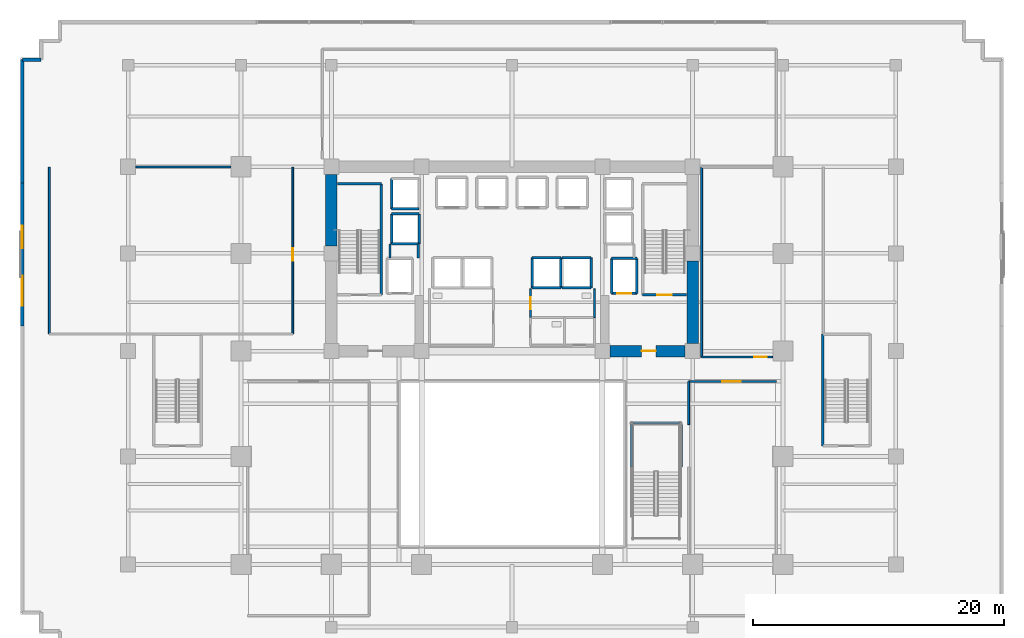
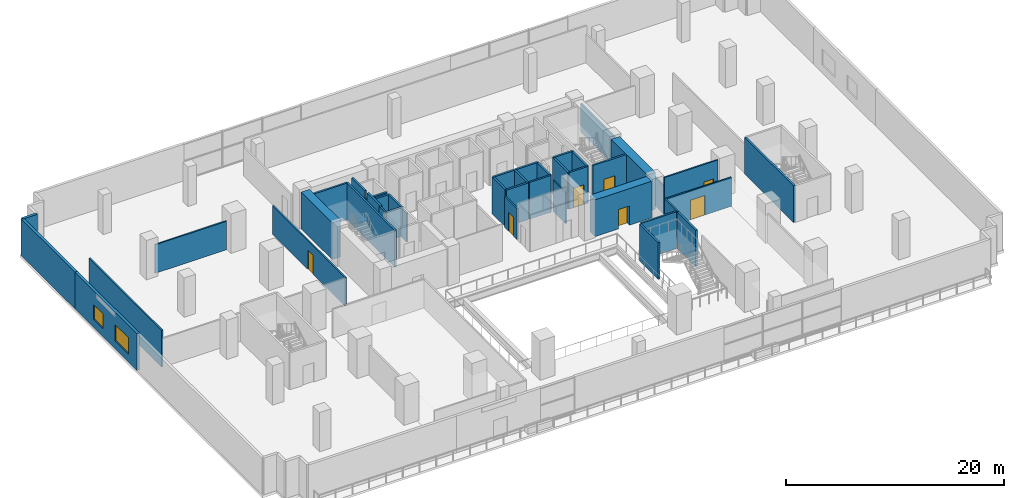
# One storey, part 13 of 21: 41 walls, 7 doors, 2 windows, 9 openings.
"""IFC4 building model written with IfcOpenShell, lengths in metres."""

from ifc_helpers import new_model, si_unit, direction, frame, frame_2d, origin, place, context, subcontext, project, spatial, rectangle, extrude, source, transform, mapped, material, layer, layer_set, type_object, element, fill, save


model = new_model("IFC4")

# Units and contexts
model_context = context("Model", 3, precision=1e-05, world=origin(), true_north=direction((0.0, 1.0)))
body_context = subcontext(model_context, "Body", "Model", "MODEL_VIEW")
ifc_project = project(units=[si_unit("LENGTHUNIT", "METRE"), si_unit("AREAUNIT", "SQUARE_METRE"), si_unit("VOLUMEUNIT", "CUBIC_METRE"), si_unit("PLANEANGLEUNIT", "RADIAN"), si_unit("MASSUNIT", "GRAM", prefix="KILO")], contexts=[model_context])

# Site, building, storey
site_placement = place(None, origin())
site = spatial("IfcSite", under=ifc_project, at=site_placement, CompositionType="ELEMENT")
building_placement = place(site_placement, origin())
building = spatial("IfcBuilding", under=site, at=building_placement, Name="Zarnakvel Exchange Tower", CompositionType="ELEMENT")
storey_placement = place(building_placement, frame((0.0, 0.0, 5.0)))
storey = spatial("IfcBuildingStorey", under=building, at=storey_placement, Name="L01", CompositionType="ELEMENT", Elevation=5.0)

# Walls
ifc_material_1 = material(Name="Concrete C80/95", Category="concrete")
ifc_layer_1 = layer(ifc_material_1, 0.89990234375)
ifc_layer_set_1 = layer_set([ifc_layer_1], Name="Concrete C80/95")
wall_type_1 = type_object("IfcWallType", Name="CW-C1", PredefinedType="SHEAR", material=ifc_layer_set_1)
wall_1_placement = place(storey_placement, frame((-14.39990234375, 7.199951171875, 0.0), z_axis=(0.0, 0.0, 1.0), x_axis=(0.0, 1.0, 0.0)))
element("IfcWall", 1, at=wall_1_placement, inside=storey, type_object=wall_type_1, Name="L01 Rear Core Shear Wall W2 (CW-C1)", PredefinedType="SHEAR", context=body_context, shape_type="SweptSolid", body=[
    extrude(rectangle(XDim=5.699951171875, YDim=0.89990234375, at=frame_2d((2.85009765625, 0.0))), origin(), (0.0, 0.0, 1.0), 4.10009765625),
])
wall_2_placement = place(storey_placement, frame((14.39990234375, -0.60009765625, 0.0), z_axis=(0.0, 0.0, 1.0), x_axis=(0.0, 1.0, 0.0)))
element("IfcWall", 2, at=wall_2_placement, inside=storey, type_object=wall_type_1, Name="L01 Rear Core Shear Wall E1 (CW-C1)", PredefinedType="SHEAR", context=body_context, shape_type="SweptSolid", body=[
    extrude(rectangle(XDim=6.60009765625, YDim=0.89990234375, at=frame_2d((3.300048828125, 0.0))), origin(), (0.0, 0.0, 1.0), 4.10009765625),
])

# Wall, opening, door
wall_3_placement = place(storey_placement, frame((13.800048828125, -1.199951171875, 0.0), z_axis=(0.0, 0.0, 1.0), x_axis=(-1.0, 0.0, 0.0)))
wall_3 = element("IfcWall", 3, at=wall_3_placement, inside=storey, type_object=wall_type_1, Name="L01 Rear Core Shear Wall SE (CW-C1)", PredefinedType="SHEAR", context=body_context, shape_type="SweptSolid", body=[
    extrude(rectangle(XDim=6.0, YDim=0.89990234375, at=frame_2d((3.0, 0.0))), origin(), (0.0, 0.0, 1.0), 4.10009765625),
])
opening_1_placement = place(wall_3_placement, frame((2.324951171875, 0.0, 0.0)))
opening_1 = element("IfcOpeningElement", 4, at=opening_1_placement, cuts=wall_3, Name="Opening D-L01-04", PredefinedType="OPENING", context=body_context, shape_type="SweptSolid", body=[
    extrude(rectangle(XDim=1.14990234375, YDim=2.14990234375, at=frame_2d((0.574951171875, 1.074951171875))), frame((0.0, 0.4599609375, 0.0), z_axis=(0.0, -1.0, 0.0), x_axis=(1.0, 0.0, 0.0)), (0.0, 0.0, 1.0), 0.919921875),
])
ifc_material_2 = material(Name="Painted Galvanised Steel S355", Category="steel")
door_type_1 = type_object("IfcDoorType", Name="DT-04", OperationType="NOTDEFINED", PredefinedType="DOOR", material=ifc_material_2)
shared_shape_1 = source(origin(), body_context, "Body", "SweptSolid", [
    extrude(rectangle(XDim=1.14990234375, YDim=2.14990234375, at=frame_2d((0.574951171875, 1.074951171875))), frame((0.0, 0.02490234375, 0.0), z_axis=(0.0, -1.0, 0.0), x_axis=(1.0, 0.0, 0.0)), (0.0, 0.0, 1.0), 0.050048828125),
])
door_1_placement = place(opening_1_placement, origin())
door_1 = element("IfcDoor", 5, at=door_1_placement, inside=storey, type_object=door_type_1, Name="L01 Firefighting Lobby East Door D-L01-04", OperationType="SINGLE_SWING_LEFT", OverallHeight=2.14990234375, OverallWidth=1.14990234375, PredefinedType="DOOR", context=body_context, shape_type="MappedRepresentation", body=[
    mapped(shared_shape_1, transform((0.0, 0.0, 0.0), x_axis=(1.0, 0.0, 0.0), y_axis=(0.0, 1.0, 0.0), z_axis=(0.0, 0.0, 1.0), scale=1.0)),
])
fill(opening_1, door_1)

# Wall, openings, windows
ifc_material_3 = material(Name="Precast concrete C40/50", Category="concrete")
ifc_layer_2 = layer(ifc_material_3, 0.280029296875)
ifc_layer_set_2 = layer_set([ifc_layer_2], Name="Precast concrete C40/50")
wall_type_2 = type_object("IfcWallType", Name="EW-01", PredefinedType="SOLIDWALL", material=ifc_layer_set_2)
wall_4_placement = place(storey_placement, frame((-39.0400390625, 0.800048828125, 0.0), z_axis=(0.0, 0.0, 1.0), x_axis=(0.0, 1.0, 0.0)))
wall_4 = element("IfcWall", 6, at=wall_4_placement, inside=storey, type_object=wall_type_2, Name="L01 Exterior Precast Spandrel Wall EW-L01-WF (EW-01)", PredefinedType="SOLIDWALL", context=body_context, shape_type="SweptSolid", body=[
    extrude(rectangle(XDim=11.39990234375, YDim=0.280029296875, at=frame_2d((5.699951171875, 0.0))), origin(), (0.0, 0.0, 1.0), 4.10009765625),
])
opening_2_placement = place(wall_4_placement, frame((1.60009765625, 0.0, 0.89990234375)))
opening_2 = element("IfcOpeningElement", 7, at=opening_2_placement, cuts=wall_4, Name="Opening WN-01", PredefinedType="OPENING", context=body_context, shape_type="SweptSolid", body=[
    extrude(rectangle(XDim=2.39990234375, YDim=1.800048828125, at=frame_2d((1.199951171875, 0.89990234375))), frame((0.0, 0.14990234375, 0.0), z_axis=(0.0, -1.0, 0.0), x_axis=(1.0, 0.0, 0.0)), (0.0, 0.0, 1.0), 0.300048828125),
])
opening_3_placement = place(wall_4_placement, frame((6.199951171875, 0.0, 0.89990234375)))
opening_3 = element("IfcOpeningElement", 8, at=opening_3_placement, cuts=wall_4, Name="Opening WN-02", PredefinedType="OPENING", context=body_context, shape_type="SweptSolid", body=[
    extrude(rectangle(XDim=1.800048828125, YDim=1.64990234375, at=frame_2d((0.89990234375, 0.824951171875))), frame((0.0, 0.14990234375, 0.0), z_axis=(0.0, -1.0, 0.0), x_axis=(1.0, 0.0, 0.0)), (0.0, 0.0, 1.0), 0.300048828125),
])
ifc_material_4 = material(Name="Double Low-E Laminated Vision Glass", Category="glass")
window_type_1 = type_object("IfcWindowType", Name="WN-01", PartitioningType="SINGLE_PANEL", PredefinedType="WINDOW", material=ifc_material_4)
shared_shape_2 = source(origin(), body_context, "Body", "SweptSolid", [
    extrude(rectangle(XDim=2.39990234375, YDim=1.800048828125, at=frame_2d((1.199951171875, 0.89990234375))), frame((0.0, 0.030029296875, 0.0), z_axis=(0.0, -1.0, 0.0), x_axis=(1.0, 0.0, 0.0)), (0.0, 0.0, 1.0), 0.06005859375),
])
window_1_placement = place(opening_2_placement, origin())
window_1 = element("IfcWindow", 9, at=window_1_placement, inside=storey, type_object=window_type_1, Name="L01 West Flank Window 1", OverallHeight=1.800048828125, OverallWidth=2.39990234375, PartitioningType="SINGLE_PANEL", PredefinedType="WINDOW", context=body_context, shape_type="MappedRepresentation", body=[
    mapped(shared_shape_2, transform((0.0, 0.0, 0.0), x_axis=(1.0, 0.0, 0.0), y_axis=(0.0, 1.0, 0.0), z_axis=(0.0, 0.0, 1.0), scale=1.0)),
])
fill(opening_2, window_1)
window_type_2 = type_object("IfcWindowType", Name="WN-02", PartitioningType="SINGLE_PANEL", PredefinedType="WINDOW", material=ifc_material_4)
shared_shape_3 = source(origin(), body_context, "Body", "SweptSolid", [
    extrude(rectangle(XDim=1.800048828125, YDim=1.64990234375, at=frame_2d((0.89990234375, 0.824951171875))), frame((0.0, 0.030029296875, 0.0), z_axis=(0.0, -1.0, 0.0), x_axis=(1.0, 0.0, 0.0)), (0.0, 0.0, 1.0), 0.06005859375),
])
window_2_placement = place(opening_3_placement, origin())
window_2 = element("IfcWindow", 10, at=window_2_placement, inside=storey, type_object=window_type_2, Name="L01 West Flank Window 2", OverallHeight=1.64990234375, OverallWidth=1.800048828125, PartitioningType="SINGLE_PANEL", PredefinedType="WINDOW", context=body_context, shape_type="MappedRepresentation", body=[
    mapped(shared_shape_3, transform((0.0, 0.0, 0.0), x_axis=(1.0, 0.0, 0.0), y_axis=(0.0, 1.0, 0.0), z_axis=(0.0, 0.0, 1.0), scale=1.0)),
])
fill(opening_3, window_2)

# Walls
wall_5_placement = place(storey_placement, frame((-39.0400390625, 22.0400390625, 0.0), z_axis=(0.0, 0.0, 1.0), x_axis=(0.0, -1.0, 0.0)))
element("IfcWall", 11, at=wall_5_placement, inside=storey, type_object=wall_type_2, Name="L01 Exterior Precast Spandrel Wall EWC-L01-02 (EW-01)", PredefinedType="SOLIDWALL", context=body_context, shape_type="SweptSolid", body=[
    extrude(rectangle(XDim=9.840087890625, YDim=0.280029296875, at=frame_2d((4.919921875, 0.0))), origin(), (0.0, 0.0, 1.0), 4.10009765625),
])
wall_6_placement = place(storey_placement, frame((-37.5400390625, 22.0400390625, 0.0), z_axis=(0.0, 0.0, 1.0), x_axis=(-1.0, 0.0, 0.0)))
element("IfcWall", 12, at=wall_6_placement, inside=storey, type_object=wall_type_2, Name="L01 Exterior Precast Spandrel Wall EWC-L01-03 (EW-01)", PredefinedType="SOLIDWALL", context=body_context, shape_type="SweptSolid", body=[
    extrude(rectangle(XDim=1.5, YDim=0.280029296875, at=frame_2d((0.75, 0.0))), origin(), (0.0, 0.0, 1.0), 4.10009765625),
])

# Wall, opening, door
ifc_material_5 = material(Name="Fire-Rated Gypsum Stud Partition", Category="gypsum")
ifc_layer_3 = layer(ifc_material_5, 0.14990234375)
ifc_layer_set_3 = layer_set([ifc_layer_3], Name="Fire-Rated Gypsum Stud Partition")
wall_type_3 = type_object("IfcWallType", Name="PT-01", PredefinedType="PARTITIONING", material=ifc_layer_set_3)
wall_7_placement = place(storey_placement, frame((14.080078125, -3.6298828125, 0.0), z_axis=(0.0, 0.0, 1.0), x_axis=(1.0, 0.0, 0.0)))
wall_7 = element("IfcWall", 13, at=wall_7_placement, inside=storey, type_object=wall_type_3, Name="L01 Partition Wall PWALL-L01-035 (PT-01)", PredefinedType="PARTITIONING", context=body_context, shape_type="SweptSolid", body=[
    extrude(rectangle(XDim=7.0, YDim=0.14990234375, at=frame_2d((3.5, 0.0))), origin(), (0.0, 0.0, 1.0), 3.239013671875),
])
opening_4_placement = place(wall_7_placement, frame((2.669921875, 0.0, 0.0)))
opening_4 = element("IfcOpeningElement", 14, at=opening_4_placement, cuts=wall_7, Name="Opening D-L01-12", PredefinedType="OPENING", context=body_context, shape_type="SweptSolid", body=[
    extrude(rectangle(XDim=1.5, YDim=2.199951171875, at=frame_2d((0.75, 1.10009765625))), frame((0.0, 0.0849609375, 0.0), z_axis=(0.0, -1.0, 0.0), x_axis=(1.0, 0.0, 0.0)), (0.0, 0.0, 1.0), 0.169921875),
])
ifc_material_6 = material(Name="Timber Acoustic Veneer", Category="wood")
door_type_2 = type_object("IfcDoorType", Name="DT-03", OperationType="NOTDEFINED", PredefinedType="DOOR", material=ifc_material_6)
shared_shape_4 = source(origin(), body_context, "Body", "SweptSolid", [
    extrude(rectangle(XDim=1.5, YDim=2.199951171875, at=frame_2d((0.75, 1.10009765625))), frame((0.0, 0.02490234375, 0.0), z_axis=(0.0, -1.0, 0.0), x_axis=(1.0, 0.0, 0.0)), (0.0, 0.0, 1.0), 0.050048828125),
])
door_2_placement = place(opening_4_placement, origin())
door_2 = element("IfcDoor", 15, at=door_2_placement, inside=storey, type_object=door_type_2, Name="L01 Issuer Listing Gallery Door D-L01-12", OperationType="DOUBLE_DOOR_SINGLE_SWING", OverallHeight=2.199951171875, OverallWidth=1.5, PredefinedType="DOOR", context=body_context, shape_type="MappedRepresentation", body=[
    mapped(shared_shape_4, transform((0.0, 0.0, 0.0), x_axis=(1.0, 0.0, 0.0), y_axis=(0.0, 1.0, 0.0), z_axis=(0.0, 0.0, 1.0), scale=1.0)),
])
fill(opening_4, door_2)

# Walls
wall_8_placement = place(storey_placement, frame((14.080078125, -7.050048828125, 0.0), z_axis=(0.0, 0.0, 1.0), x_axis=(0.0, 1.0, 0.0)))
element("IfcWall", 16, at=wall_8_placement, inside=storey, type_object=wall_type_3, Name="L01 Partition Wall PWALL-L01-037 (PT-01)", PredefinedType="PARTITIONING", context=body_context, shape_type="SweptSolid", body=[
    extrude(rectangle(XDim=3.420166015625, YDim=0.14990234375, at=frame_2d((1.7099609375, 0.0))), origin(), (0.0, 0.0, 1.0), 3.2900390625),
])
wall_9_placement = place(storey_placement, frame((-29.97998046875, 13.47998046875, 0.0), z_axis=(0.0, 0.0, 1.0), x_axis=(1.0, 0.0, 0.0)))
element("IfcWall", 17, at=wall_9_placement, inside=storey, type_object=wall_type_3, Name="L01 Partition Wall PWALL-L01-041 (PT-01)", PredefinedType="PARTITIONING", context=body_context, shape_type="SweptSolid", body=[
    extrude(rectangle(XDim=7.56005859375, YDim=0.14990234375, at=frame_2d((3.780029296875, 0.0))), origin(), (0.0, 0.0, 1.0), 3.18994140625),
])
wall_10_placement = place(storey_placement, frame((-36.8798828125, 0.169921875, 0.0), z_axis=(0.0, 0.0, 1.0), x_axis=(0.0, 1.0, 0.0)))
element("IfcWall", 18, at=wall_10_placement, inside=storey, type_object=wall_type_3, Name="L01 Partition Wall PWALL-L01-042 (PT-01)", PredefinedType="PARTITIONING", context=body_context, shape_type="SweptSolid", body=[
    extrude(rectangle(XDim=13.31005859375, YDim=0.14990234375, at=frame_2d((6.655029296875, 0.0))), origin(), (0.0, 0.0, 1.0), 4.10009765625),
])

# Wall, opening, door
wall_11_placement = place(storey_placement, frame((-17.47998046875, 13.47998046875, 0.0), z_axis=(0.0, 0.0, 1.0), x_axis=(0.0, -1.0, 0.0)))
wall_11 = element("IfcWall", 19, at=wall_11_placement, inside=storey, type_object=wall_type_3, Name="L01 Partition Wall PWALL-L01-043 (PT-01)", PredefinedType="PARTITIONING", context=body_context, shape_type="SweptSolid", body=[
    extrude(rectangle(XDim=13.31005859375, YDim=0.14990234375, at=frame_2d((6.655029296875, 0.0))), origin(), (0.0, 0.0, 1.0), 3.18994140625),
])
opening_5_placement = place(wall_11_placement, frame((6.489990234375, 0.0, 0.0)))
opening_5 = element("IfcOpeningElement", 20, at=opening_5_placement, cuts=wall_11, Name="Opening D-L01-13", PredefinedType="OPENING", context=body_context, shape_type="SweptSolid", body=[
    extrude(rectangle(XDim=0.97998046875, YDim=2.14990234375, at=frame_2d((0.489990234375, 1.074951171875))), frame((0.0, 0.0849609375, 0.0), z_axis=(0.0, -1.0, 0.0), x_axis=(1.0, 0.0, 0.0)), (0.0, 0.0, 1.0), 0.169921875),
])
door_type_3 = type_object("IfcDoorType", Name="DT-05", OperationType="NOTDEFINED", PredefinedType="DOOR", material=ifc_material_6)
shared_shape_5 = source(origin(), body_context, "Body", "SweptSolid", [
    extrude(rectangle(XDim=0.97998046875, YDim=2.14990234375, at=frame_2d((0.489990234375, 1.074951171875))), frame((0.0, 0.02490234375, 0.0), z_axis=(0.0, -1.0, 0.0), x_axis=(1.0, 0.0, 0.0)), (0.0, 0.0, 1.0), 0.050048828125),
])
door_3_placement = place(opening_5_placement, origin())
door_3 = element("IfcDoor", 21, at=door_3_placement, inside=storey, type_object=door_type_3, Name="L01 Broadcast Control Suite Door D-L01-13", OperationType="SINGLE_SWING_RIGHT", OverallHeight=2.14990234375, OverallWidth=0.97998046875, PredefinedType="DOOR", context=body_context, shape_type="MappedRepresentation", body=[
    mapped(shared_shape_5, transform((0.0, 0.0, 0.0), x_axis=(1.0, 0.0, 0.0), y_axis=(0.0, 1.0, 0.0), z_axis=(0.0, 0.0, 1.0), scale=1.0)),
])
fill(opening_5, door_3)

wall_12_placement = place(storey_placement, frame((20.780029296875, -1.669921875, 0.0), z_axis=(0.0, 0.0, 1.0), x_axis=(-1.0, 0.0, 0.0)))
wall_12 = element("IfcWall", 22, at=wall_12_placement, inside=storey, type_object=wall_type_3, Name="L01 Partition Wall PWALL-L01-044 (PT-01)", PredefinedType="PARTITIONING", context=body_context, shape_type="SweptSolid", body=[
    extrude(rectangle(XDim=5.659912109375, YDim=0.14990234375, at=frame_2d((2.830078125, 0.0))), origin(), (0.0, 0.0, 1.0), 4.10009765625),
])
opening_6_placement = place(wall_12_placement, frame((0.489990234375, 0.0, 0.0)))
opening_6 = element("IfcOpeningElement", 23, at=opening_6_placement, cuts=wall_12, Name="Opening D-L01-14", PredefinedType="OPENING", context=body_context, shape_type="SweptSolid", body=[
    extrude(rectangle(XDim=0.97998046875, YDim=2.14990234375, at=frame_2d((0.489990234375, 1.074951171875))), frame((0.0, 0.0849609375, 0.0), z_axis=(0.0, -1.0, 0.0), x_axis=(1.0, 0.0, 0.0)), (0.0, 0.0, 1.0), 0.169921875),
])
door_4_placement = place(opening_6_placement, origin())
door_4 = element("IfcDoor", 24, at=door_4_placement, inside=storey, type_object=door_type_3, Name="L01 Executive Seminar Room Door D-L01-14", OperationType="SINGLE_SWING_LEFT", OverallHeight=2.14990234375, OverallWidth=0.97998046875, PredefinedType="DOOR", context=body_context, shape_type="MappedRepresentation", body=[
    mapped(shared_shape_5, transform((0.0, 0.0, 0.0), x_axis=(1.0, 0.0, 0.0), y_axis=(0.0, 1.0, 0.0), z_axis=(0.0, 0.0, 1.0), scale=1.0)),
])
fill(opening_6, door_4)

# Walls
wall_13_placement = place(storey_placement, frame((15.1201171875, -1.669921875, 0.0), z_axis=(0.0, 0.0, 1.0), x_axis=(0.0, 1.0, 0.0)))
element("IfcWall", 25, at=wall_13_placement, inside=storey, type_object=wall_type_3, Name="L01 Partition Wall PWALL-L01-046 (PT-01)", PredefinedType="PARTITIONING", context=body_context, shape_type="SweptSolid", body=[
    extrude(rectangle(XDim=15.14990234375, YDim=0.14990234375, at=frame_2d((7.574951171875, 0.0))), origin(), (0.0, 0.0, 1.0), 3.18994140625),
])
ifc_layer_4 = layer(ifc_material_5, 0.179931640625)
ifc_layer_set_4 = layer_set([ifc_layer_4], Name="Fire-Rated Gypsum Stud Partition")
wall_type_4 = type_object("IfcWallType", Name="PT-02", PredefinedType="PARTITIONING", material=ifc_layer_set_4)
wall_14_placement = place(storey_placement, frame((-9.72998046875, 6.239990234375, 0.0), z_axis=(0.0, 0.0, 1.0), x_axis=(0.0, 1.0, 0.0)))
element("IfcWall", 26, at=wall_14_placement, inside=storey, type_object=wall_type_4, Name="L01 Partition Wall PWALL-L01-007 (PT-02)", PredefinedType="PARTITIONING", context=body_context, shape_type="SweptSolid", body=[
    extrude(rectangle(XDim=1.090087890625, YDim=0.179931640625, at=frame_2d((0.544921875, 0.0))), origin(), (0.0, 0.0, 1.0), 4.10009765625),
])
wall_15_placement = place(storey_placement, frame((-7.469970703125, 7.330078125, 0.0), z_axis=(0.0, 0.0, 1.0), x_axis=(0.0, -1.0, 0.0)))
element("IfcWall", 27, at=wall_15_placement, inside=storey, type_object=wall_type_4, Name="L01 Partition Wall PWALL-L01-008 (PT-02)", PredefinedType="PARTITIONING", context=body_context, shape_type="SweptSolid", body=[
    extrude(rectangle(XDim=1.090087890625, YDim=0.179931640625, at=frame_2d((0.544921875, 0.0))), origin(), (0.0, 0.0, 1.0), 3.18994140625),
])

# Wall, opening, door
ifc_material_7 = material(Name="Moisture-Resistant Tile-Faced Partition", Category="gypsum")
ifc_layer_5 = layer(ifc_material_7, 0.135009765625)
ifc_layer_set_5 = layer_set([ifc_layer_5], Name="Moisture-Resistant Tile-Faced Partition")
wall_type_5 = type_object("IfcWallType", Name="PT-03", PredefinedType="PARTITIONING", material=ifc_layer_set_5)
wall_16_placement = place(storey_placement, frame((1.469970703125, 1.47998046875, 0.0), z_axis=(0.0, 0.0, 1.0), x_axis=(0.0, 1.0, 0.0)))
wall_16 = element("IfcWall", 28, at=wall_16_placement, inside=storey, type_object=wall_type_5, Name="L01 Partition Wall PWALL-L01-015 (PT-03)", PredefinedType="PARTITIONING", context=body_context, shape_type="SweptSolid", body=[
    extrude(rectangle(XDim=2.280029296875, YDim=0.135009765625, at=frame_2d((1.14013671875, 0.0))), origin(), (0.0, 0.0, 1.0), 3.472900390625),
])
opening_7_placement = place(wall_16_placement, frame((0.679931640625, 0.0, 0.0)))
opening_7 = element("IfcOpeningElement", 29, at=opening_7_placement, cuts=wall_16, Name="Opening D-L01-06", PredefinedType="OPENING", context=body_context, shape_type="SweptSolid", body=[
    extrude(rectangle(XDim=0.919921875, YDim=2.10009765625, at=frame_2d((0.4599609375, 1.050048828125))), frame((0.0, 0.077392578125, 0.0), z_axis=(0.0, -1.0, 0.0), x_axis=(1.0, 0.0, 0.0)), (0.0, 0.0, 1.0), 0.155029296875),
])
ifc_material_8 = material(Name="Moisture-Resistant Laminate Timber", Category="wood")
door_type_4 = type_object("IfcDoorType", Name="DT-07", OperationType="NOTDEFINED", PredefinedType="DOOR", material=ifc_material_8)
shared_shape_6 = source(origin(), body_context, "Body", "SweptSolid", [
    extrude(rectangle(XDim=0.919921875, YDim=2.10009765625, at=frame_2d((0.4599609375, 1.050048828125))), frame((0.0, 0.02490234375, 0.0), z_axis=(0.0, -1.0, 0.0), x_axis=(1.0, 0.0, 0.0)), (0.0, 0.0, 1.0), 0.050048828125),
])
door_5_placement = place(opening_7_placement, origin())
door_5 = element("IfcDoor", 30, at=door_5_placement, inside=storey, type_object=door_type_4, Name="L01 Female Toilet Door D-L01-06", OperationType="SINGLE_SWING_LEFT", OverallHeight=2.10009765625, OverallWidth=0.919921875, PredefinedType="DOOR", context=body_context, shape_type="MappedRepresentation", body=[
    mapped(shared_shape_6, transform((0.0, 0.0, 0.0), x_axis=(1.0, 0.0, 0.0), y_axis=(0.0, 1.0, 0.0), z_axis=(0.0, 0.0, 1.0), scale=1.0)),
])
fill(opening_7, door_5)

# Wall
wall_17_placement = place(storey_placement, frame((6.580078125, 3.760009765625, 0.0), z_axis=(0.0, 0.0, 1.0), x_axis=(0.0, -1.0, 0.0)))
element("IfcWall", 31, at=wall_17_placement, inside=storey, type_object=wall_type_5, Name="L01 Partition Wall PWALL-L01-016 (PT-03)", PredefinedType="PARTITIONING", context=body_context, shape_type="SweptSolid", body=[
    extrude(rectangle(XDim=2.280029296875, YDim=0.135009765625, at=frame_2d((1.14013671875, 0.0))), origin(), (0.0, 0.0, 1.0), 3.472900390625),
])

# Wall, opening, door
ifc_material_9 = material(Name="Concrete C40/50", Category="concrete")
ifc_layer_6 = layer(ifc_material_9, 0.199951171875)
ifc_layer_set_6 = layer_set([ifc_layer_6], Name="Concrete C40/50")
wall_type_6 = type_object("IfcWallType", Name="SW-01", PredefinedType="SOLIDWALL", material=ifc_layer_set_6)
wall_18_placement = place(storey_placement, frame((9.949951171875, 3.39990234375, 0.0), z_axis=(0.0, 0.0, 1.0), x_axis=(-1.0, 0.0, 0.0)))
wall_18 = element("IfcWall", 32, at=wall_18_placement, inside=storey, type_object=wall_type_6, Name="L01 FL-02 Hoistway Wall South", PredefinedType="SOLIDWALL", context=body_context, shape_type="SweptSolid", body=[
    extrude(rectangle(XDim=2.0, YDim=0.199951171875, at=frame_2d((1.0, 0.0))), origin(), (0.0, 0.0, 1.0), 4.10009765625),
])
opening_8_placement = place(wall_18_placement, frame((0.449951171875, 0.0, 0.0)))
opening_8 = element("IfcOpeningElement", 33, at=opening_8_placement, cuts=wall_18, Name="Opening LD-FL-02-L01", PredefinedType="OPENING", context=body_context, shape_type="SweptSolid", body=[
    extrude(rectangle(XDim=1.10009765625, YDim=2.199951171875, at=frame_2d((0.550048828125, 1.10009765625))), frame((0.0, 0.10986328125, 0.0), z_axis=(0.0, -1.0, 0.0), x_axis=(1.0, 0.0, 0.0)), (0.0, 0.0, 1.0), 0.219970703125),
])
ifc_material_10 = material(Name="Brushed Stainless Steel", Category="steel")
door_type_5 = type_object("IfcDoorType", Name="LDT-01", OperationType="NOTDEFINED", PredefinedType="DOOR", material=ifc_material_10)
shared_shape_7 = source(origin(), body_context, "Body", "SweptSolid", [
    extrude(rectangle(XDim=1.10009765625, YDim=2.199951171875, at=frame_2d((0.550048828125, 1.10009765625))), frame((0.0, 0.02490234375, 0.0), z_axis=(0.0, -1.0, 0.0), x_axis=(1.0, 0.0, 0.0)), (0.0, 0.0, 1.0), 0.050048828125),
])
door_6_placement = place(opening_8_placement, origin())
door_6 = element("IfcDoor", 34, at=door_6_placement, inside=storey, type_object=door_type_5, Name="L01 FL-02 Lift Landing Door LD-FL-02-L01", OperationType="DOUBLE_DOOR_SLIDING", OverallHeight=2.199951171875, OverallWidth=1.10009765625, PredefinedType="DOOR", context=body_context, shape_type="MappedRepresentation", body=[
    mapped(shared_shape_7, transform((0.0, 0.0, 0.0), x_axis=(1.0, 0.0, 0.0), y_axis=(0.0, 1.0, 0.0), z_axis=(0.0, 0.0, 1.0), scale=1.0)),
])
fill(opening_8, door_6)

# Walls
wall_19_placement = place(storey_placement, frame((7.949951171875, 6.199951171875, 0.0), z_axis=(0.0, 0.0, 1.0), x_axis=(1.0, 0.0, 0.0)))
element("IfcWall", 35, at=wall_19_placement, inside=storey, type_object=wall_type_6, Name="L01 FL-02 Hoistway Wall North", PredefinedType="SOLIDWALL", context=body_context, shape_type="SweptSolid", body=[
    extrude(rectangle(XDim=2.0, YDim=0.199951171875, at=frame_2d((1.0, 0.0))), origin(), (0.0, 0.0, 1.0), 4.10009765625),
])
for number, where, z_axis, x_axis, name in (
    (36, (7.949951171875, 3.39990234375, 0.0), (0.0, 0.0, 1.0), (0.0, 1.0, 0.0), "L01 FL-02 Hoistway Wall West"),
    (37, (9.949951171875, 6.199951171875, 0.0), (0.0, 0.0, 1.0), (0.0, -1.0, 0.0), "L01 FL-02 Hoistway Wall East"),
):
    element("IfcWall", number, at=place(storey_placement, frame(where, z_axis=z_axis, x_axis=x_axis)), inside=storey, type_object=wall_type_6, Name=name, PredefinedType="SOLIDWALL", context=body_context, shape_type="SweptSolid", body=[
        extrude(rectangle(XDim=2.800048828125, YDim=0.199951171875, at=frame_2d((1.39990234375, 0.0))), origin(), (0.0, 0.0, 1.0), 4.10009765625),
    ])
for number, where, z_axis, x_axis, name in (
    (38, (3.89990234375, 3.85009765625, 0.0), (0.0, 0.0, 1.0), (-1.0, 0.0, 0.0), "L01 PL-07 Hoistway Wall South"),
    (39, (1.60009765625, 6.25, 0.0), (0.0, 0.0, 1.0), (1.0, 0.0, 0.0), "L01 PL-07 Hoistway Wall North"),
):
    element("IfcWall", number, at=place(storey_placement, frame(where, z_axis=z_axis, x_axis=x_axis)), inside=storey, type_object=wall_type_6, Name=name, PredefinedType="SOLIDWALL", context=body_context, shape_type="SweptSolid", body=[
        extrude(rectangle(XDim=2.2998046875, YDim=0.199951171875, at=frame_2d((1.14990234375, 0.0))), origin(), (0.0, 0.0, 1.0), 4.10009765625),
    ])
for number, where, z_axis, x_axis, name in (
    (40, (1.60009765625, 3.85009765625, 0.0), (0.0, 0.0, 1.0), (0.0, 1.0, 0.0), "L01 PL-07 Hoistway Wall West"),
    (41, (3.89990234375, 6.25, 0.0), (0.0, 0.0, 1.0), (0.0, -1.0, 0.0), "L01 PL-07 Hoistway Wall East"),
):
    element("IfcWall", number, at=place(storey_placement, frame(where, z_axis=z_axis, x_axis=x_axis)), inside=storey, type_object=wall_type_6, Name=name, PredefinedType="SOLIDWALL", context=body_context, shape_type="SweptSolid", body=[
        extrude(rectangle(XDim=2.39990234375, YDim=0.199951171875, at=frame_2d((1.199951171875, 0.0))), origin(), (0.0, 0.0, 1.0), 4.10009765625),
    ])
for number, where, z_axis, x_axis, name in (
    (42, (6.300048828125, 3.85009765625, 0.0), (0.0, 0.0, 1.0), (-1.0, 0.0, 0.0), "L01 PL-08 Hoistway Wall South"),
    (43, (4.0, 6.25, 0.0), (0.0, 0.0, 1.0), (1.0, 0.0, 0.0), "L01 PL-08 Hoistway Wall North"),
):
    element("IfcWall", number, at=place(storey_placement, frame(where, z_axis=z_axis, x_axis=x_axis)), inside=storey, type_object=wall_type_6, Name=name, PredefinedType="SOLIDWALL", context=body_context, shape_type="SweptSolid", body=[
        extrude(rectangle(XDim=2.300048828125, YDim=0.199951171875, at=frame_2d((1.14990234375, 0.0))), origin(), (0.0, 0.0, 1.0), 4.10009765625),
    ])
wall_20_placement = place(storey_placement, frame((6.300048828125, 6.25, 0.0), z_axis=(0.0, 0.0, 1.0), x_axis=(0.0, -1.0, 0.0)))
element("IfcWall", 44, at=wall_20_placement, inside=storey, type_object=wall_type_6, Name="L01 PL-08 Hoistway Wall East", PredefinedType="SOLIDWALL", context=body_context, shape_type="SweptSolid", body=[
    extrude(rectangle(XDim=2.39990234375, YDim=0.199951171875, at=frame_2d((1.199951171875, 0.0))), origin(), (0.0, 0.0, 1.0), 4.10009765625),
])
for number, where, z_axis, x_axis, name in (
    (45, (-7.39990234375, 7.35009765625, 0.0), (0.0, 0.0, 1.0), (-1.0, 0.0, 0.0), "L01 PL-09 Hoistway Wall South"),
    (46, (-9.60009765625, 9.75, 0.0), (0.0, 0.0, 1.0), (1.0, 0.0, 0.0), "L01 PL-09 Hoistway Wall North"),
):
    element("IfcWall", number, at=place(storey_placement, frame(where, z_axis=z_axis, x_axis=x_axis)), inside=storey, type_object=wall_type_6, Name=name, PredefinedType="SOLIDWALL", context=body_context, shape_type="SweptSolid", body=[
        extrude(rectangle(XDim=2.2001953125, YDim=0.199951171875, at=frame_2d((1.10009765625, 0.0))), origin(), (0.0, 0.0, 1.0), 3.18994140625),
    ])
wall_21_placement = place(storey_placement, frame((-9.60009765625, 7.35009765625, 0.0), z_axis=(0.0, 0.0, 1.0), x_axis=(0.0, 1.0, 0.0)))
element("IfcWall", 47, at=wall_21_placement, inside=storey, type_object=wall_type_6, Name="L01 PL-09 Hoistway Wall West", PredefinedType="SOLIDWALL", context=body_context, shape_type="SweptSolid", body=[
    extrude(rectangle(XDim=2.39990234375, YDim=0.199951171875, at=frame_2d((1.199951171875, 0.0))), origin(), (0.0, 0.0, 1.0), 4.10009765625),
])
wall_22_placement = place(storey_placement, frame((-7.39990234375, 9.75, 0.0), z_axis=(0.0, 0.0, 1.0), x_axis=(0.0, -1.0, 0.0)))
element("IfcWall", 48, at=wall_22_placement, inside=storey, type_object=wall_type_6, Name="L01 PL-09 Hoistway Wall East", PredefinedType="SOLIDWALL", context=body_context, shape_type="SweptSolid", body=[
    extrude(rectangle(XDim=2.39990234375, YDim=0.199951171875, at=frame_2d((1.199951171875, 0.0))), origin(), (0.0, 0.0, 1.0), 3.18994140625),
])
wall_23_placement = place(storey_placement, frame((-7.39990234375, 10.14990234375, 0.0), z_axis=(0.0, 0.0, 1.0), x_axis=(-1.0, 0.0, 0.0)))
element("IfcWall", 49, at=wall_23_placement, inside=storey, type_object=wall_type_6, Name="L01 PL-10 Hoistway Wall South", PredefinedType="SOLIDWALL", context=body_context, shape_type="SweptSolid", body=[
    extrude(rectangle(XDim=2.2001953125, YDim=0.199951171875, at=frame_2d((1.10009765625, 0.0))), origin(), (0.0, 0.0, 1.0), 3.18994140625),
])
wall_24_placement = place(storey_placement, frame((-9.60009765625, 10.14990234375, 0.0), z_axis=(0.0, 0.0, 1.0), x_axis=(0.0, 1.0, 0.0)))
element("IfcWall", 50, at=wall_24_placement, inside=storey, type_object=wall_type_6, Name="L01 PL-10 Hoistway Wall West", PredefinedType="SOLIDWALL", context=body_context, shape_type="SweptSolid", body=[
    extrude(rectangle(XDim=2.400146484375, YDim=0.199951171875, at=frame_2d((1.2001953125, 0.0))), origin(), (0.0, 0.0, 1.0), 4.10009765625),
])
ifc_layer_7 = layer(ifc_material_9, 0.199951171875)
ifc_layer_set_7 = layer_set([ifc_layer_7], Name="Concrete C40/50")
wall_type_7 = type_object("IfcWallType", Name="SW-02", PredefinedType="SOLIDWALL", material=ifc_layer_set_7)
for number, where, z_axis, x_axis, name in (
    (51, (9.52001953125, -10.449951171875, 0.0), (0.0, 0.0, 1.0), (0.0, 1.0, 0.0), "L01 Atrium Feature Stair ST-06 Bearing Wall W"),
    (52, (13.47998046875, -7.050048828125, 0.0), (0.0, 0.0, 1.0), (0.0, -1.0, 0.0), "L01 Atrium Feature Stair ST-06 Bearing Wall E"),
):
    element("IfcWall", number, at=place(storey_placement, frame(where, z_axis=z_axis, x_axis=x_axis)), inside=storey, type_object=wall_type_7, Name=name, PredefinedType="SOLIDWALL", context=body_context, shape_type="SweptSolid", body=[
        extrude(rectangle(XDim=3.39990234375, YDim=0.199951171875, at=frame_2d((1.699951171875, 0.0))), origin(), (0.0, 0.0, 1.0), 4.10009765625),
    ])
wall_25_placement = place(storey_placement, frame((9.64990234375, -6.919921875, 0.0), z_axis=(0.0, 0.0, 1.0), x_axis=(1.0, 0.0, 0.0)))
element("IfcWall", 53, at=wall_25_placement, inside=storey, type_object=wall_type_7, Name="L01 Atrium Feature Stair ST-06 Bearing Wall N", PredefinedType="SOLIDWALL", context=body_context, shape_type="SweptSolid", body=[
    extrude(rectangle(XDim=3.7001953125, YDim=0.199951171875, at=frame_2d((1.85009765625, 0.0))), origin(), (0.0, 0.0, 1.0), 4.10009765625),
])
wall_26_placement = place(storey_placement, frame((-13.929931640625, 12.1298828125, 0.0), z_axis=(0.0, 0.0, 1.0), x_axis=(1.0, 0.0, 0.0)))
element("IfcWall", 54, at=wall_26_placement, inside=storey, type_object=wall_type_7, Name="L01 Stairwell Core Wall PWALL-L01-002 (SW-02)", PredefinedType="SOLIDWALL", context=body_context, shape_type="SweptSolid", body=[
    extrude(rectangle(XDim=3.52001953125, YDim=0.199951171875, at=frame_2d((1.760009765625, 0.0))), origin(), (0.0, 0.0, 1.0), 4.10009765625),
])
wall_27_placement = place(storey_placement, frame((-10.409912109375, 12.1298828125, 0.0), z_axis=(0.0, 0.0, 1.0), x_axis=(0.0, -1.0, 0.0)))
element("IfcWall", 55, at=wall_27_placement, inside=storey, type_object=wall_type_7, Name="L01 Stairwell Core Wall PWALL-L01-003 (SW-02)", PredefinedType="SOLIDWALL", context=body_context, shape_type="SweptSolid", body=[
    extrude(rectangle(XDim=8.83984375, YDim=0.199951171875, at=frame_2d((4.419921875, 0.0))), origin(), (0.0, 0.0, 1.0), 4.10009765625),
])

# Wall, opening, door
wall_28_placement = place(storey_placement, frame((13.929931640625, 3.2900390625, 0.0), z_axis=(0.0, 0.0, 1.0), x_axis=(-1.0, 0.0, 0.0)))
wall_28 = element("IfcWall", 56, at=wall_28_placement, inside=storey, type_object=wall_type_7, Name="L01 Stairwell Core Wall PWALL-L01-004 (SW-02)", PredefinedType="SOLIDWALL", context=body_context, shape_type="SweptSolid", body=[
    extrude(rectangle(XDim=3.52001953125, YDim=0.199951171875, at=frame_2d((1.760009765625, 0.0))), origin(), (0.0, 0.0, 1.0), 4.10009765625),
])
opening_9_placement = place(wall_28_placement, frame((1.205078125, 0.0, 0.0)))
opening_9 = element("IfcOpeningElement", 57, at=opening_9_placement, cuts=wall_28, Name="Opening D-L01-02", PredefinedType="OPENING", context=body_context, shape_type="SweptSolid", body=[
    extrude(rectangle(XDim=1.14990234375, YDim=2.14990234375, at=frame_2d((0.574951171875, 1.074951171875))), frame((0.0, 0.10986328125, 0.0), z_axis=(0.0, -1.0, 0.0), x_axis=(1.0, 0.0, 0.0)), (0.0, 0.0, 1.0), 0.219970703125),
])
door_7_placement = place(opening_9_placement, origin())
door_7 = element("IfcDoor", 58, at=door_7_placement, inside=storey, type_object=door_type_1, Name="L01 Stairwell ST-02 Door D-L01-02", OperationType="SINGLE_SWING_LEFT", OverallHeight=2.14990234375, OverallWidth=1.14990234375, PredefinedType="DOOR", context=body_context, shape_type="MappedRepresentation", body=[
    mapped(shared_shape_1, transform((0.0, 0.0, 0.0), x_axis=(1.0, 0.0, 0.0), y_axis=(0.0, 1.0, 0.0), z_axis=(0.0, 0.0, 1.0), scale=1.0)),
])
fill(opening_9, door_7)

# Wall
wall_29_placement = place(storey_placement, frame((24.7900390625, -8.760009765625, 0.0), z_axis=(0.0, 0.0, 1.0), x_axis=(0.0, 1.0, 0.0)))
element("IfcWall", 59, at=wall_29_placement, inside=storey, type_object=wall_type_7, Name="L01 Stairwell Core Wall PWALL-L01-028 (SW-02)", PredefinedType="SOLIDWALL", context=body_context, shape_type="SweptSolid", body=[
    extrude(rectangle(XDim=8.919921875, YDim=0.199951171875, at=frame_2d((4.4599609375, 0.0))), origin(), (0.0, 0.0, 1.0), 4.10009765625),
])

save(model, "model.ifc")
